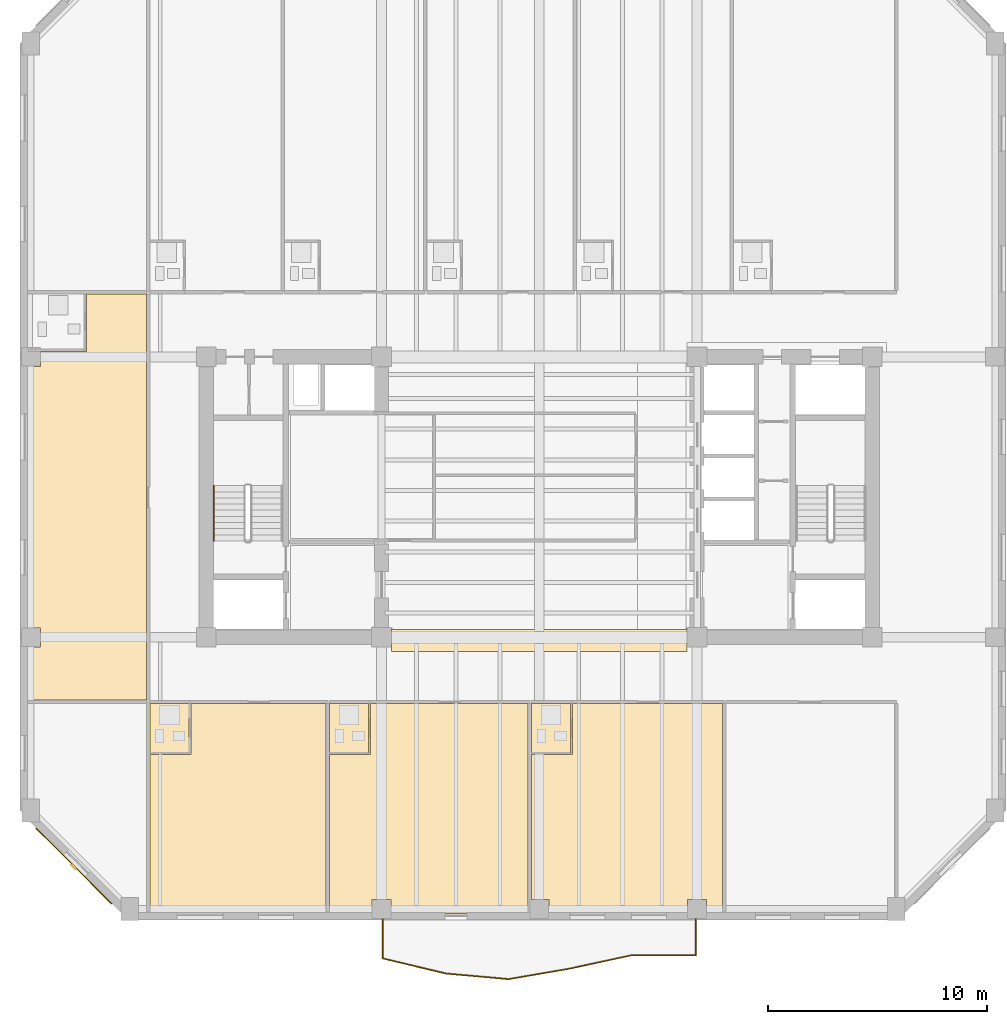
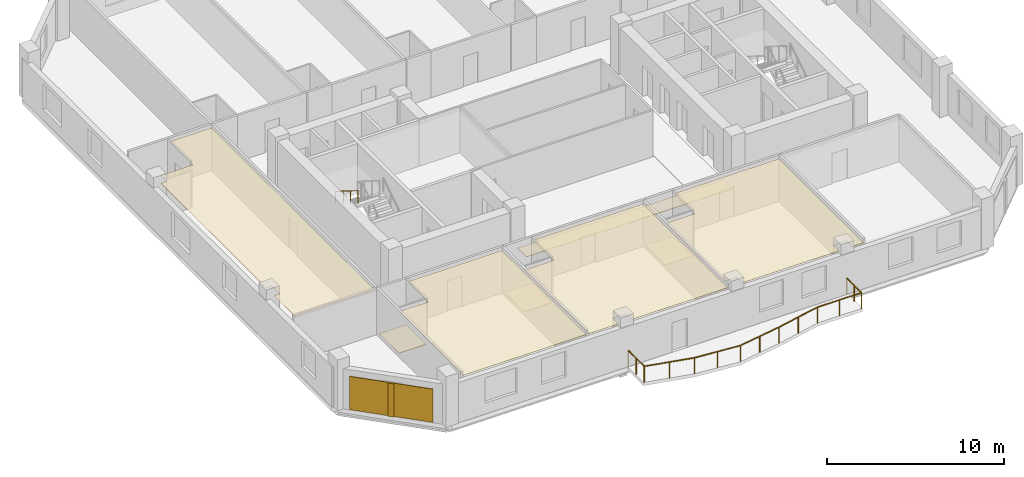
# One storey, part 7 of 11: 9 coverings, 2 railings, 1 shading device.
"""IFC4 building model written with IfcOpenShell, lengths in metres."""

from ifc_helpers import new_model, si_unit, direction, frame, origin, origin_2d, place, context, subcontext, project, spatial, polyline, rectangle, circle, outline, extrude, material, layer, layer_set, type_object, element, save


model = new_model("IFC4")

# Units and contexts
model_context = context("Model", 3, precision=1e-05, world=origin(), true_north=direction((0.0, 1.0)))
body_context = subcontext(model_context, "Body", "Model", "MODEL_VIEW")
ifc_project = project(units=[si_unit("LENGTHUNIT", "METRE"), si_unit("AREAUNIT", "SQUARE_METRE"), si_unit("VOLUMEUNIT", "CUBIC_METRE"), si_unit("PLANEANGLEUNIT", "RADIAN"), si_unit("MASSUNIT", "GRAM", prefix="KILO")], contexts=[model_context])

# Site, building, storey
site_placement = place(None, origin())
site = spatial("IfcSite", under=ifc_project, at=site_placement, CompositionType="ELEMENT")
building_placement = place(site_placement, origin())
building = spatial("IfcBuilding", under=site, at=building_placement, Name="Kranthara Brick Stack", CompositionType="ELEMENT")
storey_placement = place(building_placement, frame((0.0, 0.0, 190.300048828125)))
storey = spatial("IfcBuildingStorey", under=building, at=storey_placement, Name="L49", CompositionType="ELEMENT", Elevation=190.300048828125)

# Coverings
ifc_material_1 = material(Name="Perforated mineral-fibre acoustic ceiling tile", Category="other")
ifc_layer_1 = layer(ifc_material_1, 0.02490234375)
ifc_layer_set_1 = layer_set([ifc_layer_1], Name="Perforated mineral-fibre acoustic ceiling tile")
covering_type_1 = type_object("IfcCoveringType", Name="COV-CEIL-ACOUSTIC", PredefinedType="CEILING", material=ifc_layer_set_1)
covering_1_placement = place(storey_placement, frame((0.0, 0.0, 2.929931640625)))
element("IfcCovering", 1, at=covering_1_placement, inside=storey, type_object=covering_type_1, Name="L49 Room L49-01 Corner Junior Suite Acoustic Ceiling", PredefinedType="CEILING", context=body_context, shape_type="SweptSolid", body=[
    extrude(outline(polyline([(10.22998046875, 8.199951171875), (18.26611328125, 8.199951171875), (18.26611328125, 17.77001953125), (12.110107421875, 17.77001953125), (12.110107421875, 15.4599609375), (10.22998046875, 15.4599609375), (10.22998046875, 8.199951171875)])), origin(), (0.0, 0.0, 1.0), 0.02490234375),
])
covering_2_placement = place(storey_placement, frame((0.0, 0.0, 2.929931640625)))
element("IfcCovering", 2, at=covering_2_placement, inside=storey, type_object=covering_type_1, Name="L49 Room L49-02 Corner Junior Suite Acoustic Ceiling", PredefinedType="CEILING", context=body_context, shape_type="SweptSolid", body=[
    extrude(outline(polyline([(18.426025390625, 8.199951171875), (18.426025390625, 15.4599609375), (20.305908203125, 15.4599609375), (20.305908203125, 17.77001953125), (27.486083984375, 17.77001953125), (27.486083984375, 8.199951171875), (21.235107421875, 8.199951171875), (21.235107421875, 8.8349609375), (20.364990234375, 8.8349609375), (20.364990234375, 8.199951171875), (18.426025390625, 8.199951171875)])), origin(), (0.0, 0.0, 1.0), 0.02490234375),
])
covering_3_placement = place(storey_placement, frame((0.0, 0.0, 2.929931640625)))
element("IfcCovering", 3, at=covering_3_placement, inside=storey, type_object=covering_type_1, Name="L49 Room L49-03 Corner Junior Suite Acoustic Ceiling", PredefinedType="CEILING", context=body_context, shape_type="SweptSolid", body=[
    extrude(outline(polyline([(29.52587890625, 15.4599609375), (29.52587890625, 17.77001953125), (36.365966796875, 17.77001953125), (36.365966796875, 8.199951171875), (35.635009765625, 8.199951171875), (35.635009765625, 8.8349609375), (34.764892578125, 8.8349609375), (34.764892578125, 8.199951171875), (28.43505859375, 8.199951171875), (28.43505859375, 8.8349609375), (27.64599609375, 8.8349609375), (27.64599609375, 15.4599609375), (29.52587890625, 15.4599609375)])), origin(), (0.0, 0.0, 1.0), 0.02490234375),
])
covering_4_placement = place(storey_placement, frame((0.0, 0.0, 2.929931640625)))
element("IfcCovering", 4, at=covering_4_placement, inside=storey, type_object=covering_type_1, Name="L49 Room L49-10 Corner Junior Suite Acoustic Ceiling", PredefinedType="CEILING", context=body_context, shape_type="SweptSolid", body=[
    extrude(outline(polyline([(7.330078125, 33.840087890625), (7.330078125, 36.469970703125), (10.080078125, 36.469970703125), (10.080078125, 17.929931640625), (4.8701171875, 17.929931640625), (4.8701171875, 20.364990234375), (5.235107421875, 20.364990234375), (5.235107421875, 21.235107421875), (4.8701171875, 21.235107421875), (4.8701171875, 33.1650390625), (5.235107421875, 33.1650390625), (5.235107421875, 33.840087890625), (7.330078125, 33.840087890625)])), origin(), (0.0, 0.0, 1.0), 0.02490234375),
])
ifc_material_2 = material(Name="Warm buff kiln-fired brick slip rainscreen", Category="masonry")
ifc_layer_2 = layer(ifc_material_2, 0.044921875)
ifc_layer_set_2 = layer_set([ifc_layer_2], Name="Warm buff kiln-fired brick slip rainscreen")
covering_type_2 = type_object("IfcCoveringType", Name="COV-CLAD-BRICK", PredefinedType="CLADDING", material=ifc_layer_set_2)
covering_5_placement = place(storey_placement, frame((6.759521484375, 10.359619140625, 0.0498046875), z_axis=(0.0, 0.0, 1.0), x_axis=(-0.707106781187, 0.707106781187, 0.0)))
element("IfcCovering", 5, at=covering_5_placement, inside=storey, type_object=covering_type_2, Name="L49 Chamfer Brick Rainscreen Cladding SW", PredefinedType="CLADDING", context=body_context, shape_type="SweptSolid", body=[
    extrude(rectangle(XDim=4.89306640625, YDim=0.044921875, at=origin_2d()), origin(), (0.0, 0.0, 1.0), 2.300048828125),
])
ifc_material_3 = material(Name="Honed terrazzo and porcelain floor finish", Category="stone")
ifc_layer_3 = layer(ifc_material_3, 0.030029296875)
ifc_layer_set_3 = layer_set([ifc_layer_3], Name="Honed terrazzo and porcelain floor finish")
covering_type_3 = type_object("IfcCoveringType", Name="COV-FLOR-STONE", PredefinedType="FLOORING", material=ifc_layer_set_3)
covering_6_placement = place(storey_placement, origin())
element("IfcCovering", 6, at=covering_6_placement, inside=storey, type_object=covering_type_3, Name="L49 Lift Lobby Stone Flooring", PredefinedType="FLOORING", context=body_context, shape_type="SweptSolid", body=[
    extrude(outline(polyline([(21.25, 20.340087890625), (21.260009765625, 20.340087890625), (21.260009765625, 21.199951171875), (21.300048828125, 21.199951171875), (21.300048828125, 21.14990234375), (32.47998046875, 21.14990234375), (34.699951171875, 21.14990234375), (34.699951171875, 21.199951171875), (34.739990234375, 21.199951171875), (34.739990234375, 20.340087890625), (34.75, 20.340087890625), (34.75, 20.14990234375), (21.25, 20.14990234375), (21.25, 20.340087890625)])), origin(), (0.0, 0.0, 1.0), 0.030029296875),
])
covering_7_placement = place(storey_placement, origin())
element("IfcCovering", 7, at=covering_7_placement, inside=storey, type_object=covering_type_3, Name="L49 Wet Room Porcelain Flooring", PredefinedType="FLOORING", context=body_context, shape_type="SweptSolid", body=[
    extrude(outline(polyline([(10.22998046875, 15.52001953125), (10.22998046875, 17.77001953125), (12.010009765625, 17.77001953125), (12.010009765625, 15.52001953125), (10.22998046875, 15.52001953125)])), origin(), (0.0, 0.0, 1.0), 0.030029296875),
])
covering_8_placement = place(storey_placement, origin())
element("IfcCovering", 8, at=covering_8_placement, inside=storey, type_object=covering_type_3, Name="L49 Wet Room Porcelain Flooring", PredefinedType="FLOORING", context=body_context, shape_type="SweptSolid", body=[
    extrude(outline(polyline([(18.426025390625, 15.52001953125), (18.426025390625, 17.77001953125), (20.2060546875, 17.77001953125), (20.2060546875, 15.52001953125), (18.426025390625, 15.52001953125)])), origin(), (0.0, 0.0, 1.0), 0.030029296875),
])
covering_9_placement = place(storey_placement, origin())
element("IfcCovering", 9, at=covering_9_placement, inside=storey, type_object=covering_type_3, Name="L49 Wet Room Porcelain Flooring", PredefinedType="FLOORING", context=body_context, shape_type="SweptSolid", body=[
    extrude(outline(polyline([(27.64599609375, 15.52001953125), (27.64599609375, 17.77001953125), (29.426025390625, 17.77001953125), (29.426025390625, 15.52001953125), (27.64599609375, 15.52001953125)])), origin(), (0.0, 0.0, 1.0), 0.030029296875),
])

# Railings
ifc_material_4 = material(Name="Bronze anodised aluminium and laminated glass balustrade", Category="aluminium")
railing_type_1 = type_object("IfcRailingType", Name="RL-BALC-1120", PredefinedType="BALUSTRADE", material=ifc_material_4)
railing_1_placement = place(storey_placement, frame((35.139892578125, 7.9599609375, 0.0)))
element("IfcRailing", 10, at=railing_1_placement, inside=storey, type_object=railing_type_1, Name="L49 South Rippling Balcony Balustrade", PredefinedType="BALUSTRADE", context=body_context, shape_type="SweptSolid", body=[
    extrude(circle(Radius=0.02392578125, at=origin_2d()), frame((0.0, 0.0, 1.09619140625), z_axis=(0.0, -1.0, 0.0), x_axis=(1.0, 0.0, 0.0)), (0.0, 0.0, 1.0), 1.6728515625),
    extrude(circle(Radius=0.02392578125, at=origin_2d()), frame((0.0, -1.6728515625, 1.09619140625), z_axis=(-0.999991721006, 0.004069142303, 0.0), x_axis=(-0.004069142303, -0.999991721006, 0.0)), (0.0, 0.0, 1.0), 2.8798828125),
    extrude(circle(Radius=0.02392578125, at=origin_2d()), frame((-2.8798828125, -1.6611328125, 1.09619140625), z_axis=(-0.977453549575, -0.211150558662, 0.0), x_axis=(0.211150558662, -0.977453549575, 0.0)), (0.0, 0.0, 1.0), 2.9404296875),
    extrude(circle(Radius=0.02392578125, at=origin_2d()), frame((-5.75390625, -2.281982421875, 1.09619140625), z_axis=(-0.985447120516, -0.169982271623, 0.0), x_axis=(0.169982271623, -0.985447120516, 0.0)), (0.0, 0.0, 1.0), 2.82080078125),
    extrude(circle(Radius=0.02392578125, at=origin_2d()), frame((-8.53369140625, -2.761474609375, 1.09619140625), z_axis=(-0.996050170976, 0.088792211921, 0.0), x_axis=(-0.088792211921, -0.996050170976, 0.0)), (0.0, 0.0, 1.0), 2.87890625),
    extrude(circle(Radius=0.02392578125, at=origin_2d()), frame((-11.401123046875, -2.505859375, 1.09619140625), z_axis=(-0.972459124894, 0.233073487147, 0.0), x_axis=(-0.233073487147, -0.972459124894, 0.0)), (0.0, 0.0, 1.0), 2.960205078125),
    extrude(circle(Radius=0.02392578125, at=origin_2d()), frame((-14.27978515625, -1.81591796875, 1.09619140625), z_axis=(0.0, 1.0, 0.0), x_axis=(-1.0, 0.0, 0.0)), (0.0, 0.0, 1.0), 1.81591796875),
    extrude(circle(Radius=0.02099609375, at=origin_2d()), origin(), (0.0, 0.0, 1.0), 1.072021484375),
    extrude(circle(Radius=0.02099609375, at=origin_2d()), frame((0.0, -0.83642578125, 0.0)), (0.0, 0.0, 1.0), 1.072021484375),
    extrude(circle(Radius=0.02099609375, at=origin_2d()), frame((0.0, -1.6728515625, 0.0)), (0.0, 0.0, 1.0), 1.072021484375),
    extrude(circle(Radius=0.02099609375, at=origin_2d()), frame((-1.43994140625, -1.6669921875, 0.0)), (0.0, 0.0, 1.0), 1.072021484375),
    extrude(circle(Radius=0.02099609375, at=origin_2d()), frame((-2.8798828125, -1.6611328125, 0.0)), (0.0, 0.0, 1.0), 1.072021484375),
    extrude(circle(Radius=0.02099609375, at=origin_2d()), frame((-4.31689453125, -1.9716796875, 0.0)), (0.0, 0.0, 1.0), 1.072021484375),
    extrude(circle(Radius=0.02099609375, at=origin_2d()), frame((-5.75390625, -2.281982421875, 0.0)), (0.0, 0.0, 1.0), 1.072021484375),
    extrude(circle(Radius=0.02099609375, at=origin_2d()), frame((-7.143798828125, -2.521728515625, 0.0)), (0.0, 0.0, 1.0), 1.072021484375),
    extrude(circle(Radius=0.02099609375, at=origin_2d()), frame((-8.53369140625, -2.761474609375, 0.0)), (0.0, 0.0, 1.0), 1.072021484375),
    extrude(circle(Radius=0.02099609375, at=origin_2d()), frame((-9.96728515625, -2.6337890625, 0.0)), (0.0, 0.0, 1.0), 1.072021484375),
    extrude(circle(Radius=0.02099609375, at=origin_2d()), frame((-11.401123046875, -2.505859375, 0.0)), (0.0, 0.0, 1.0), 1.072021484375),
    extrude(circle(Radius=0.02099609375, at=origin_2d()), frame((-12.84033203125, -2.160888671875, 0.0)), (0.0, 0.0, 1.0), 1.072021484375),
    extrude(circle(Radius=0.02099609375, at=origin_2d()), frame((-14.27978515625, -1.81591796875, 0.0)), (0.0, 0.0, 1.0), 1.072021484375),
    extrude(circle(Radius=0.02099609375, at=origin_2d()), frame((-14.27978515625, -0.907958984375, 0.0)), (0.0, 0.0, 1.0), 1.072021484375),
    extrude(circle(Radius=0.02099609375, at=origin_2d()), frame((-14.27978515625, 0.0, 0.0)), (0.0, 0.0, 1.0), 1.072021484375),
])
ifc_material_5 = material(Name="Brushed stainless steel tubular handrail", Category="steel")
railing_type_2 = type_object("IfcRailingType", Name="RL-STAIR-HAND-900", PredefinedType="HANDRAIL", material=ifc_material_5)
railing_2_placement = place(storey_placement, frame((13.14990234375, 27.719970703125, 1.925048828125)))
element("IfcRailing", 11, at=railing_2_placement, inside=storey, type_object=railing_type_2, Name="L49 ST01 stair handrail 2", PredefinedType="HANDRAIL", context=body_context, shape_type="SweptSolid", body=[
    extrude(circle(Radius=0.02392578125, at=origin_2d()), frame((0.0, 0.0, 0.8759765625), z_axis=(0.0, -0.848007534815, 0.529984170421), x_axis=(1.0, 0.0, 0.0)), (0.0, 0.0, 1.0), 2.9716796875),
    extrude(circle(Radius=0.02099609375, at=origin_2d()), origin(), (0.0, 0.0, 1.0), 0.851806640625),
    extrude(circle(Radius=0.02099609375, at=origin_2d()), frame((0.0, -0.840087890625, 0.52490234375)), (0.0, 0.0, 1.0), 0.851806640625),
    extrude(circle(Radius=0.02099609375, at=origin_2d()), frame((0.0, -1.679931640625, 1.050048828125)), (0.0, 0.0, 1.0), 0.851806640625),
    extrude(circle(Radius=0.02099609375, at=origin_2d()), frame((0.0, -2.52001953125, 1.574951171875)), (0.0, 0.0, 1.0), 0.851806640625),
])

# Shading device
ifc_material_6 = material(Name="Kiln-fired terracotta aerodynamic wind fin", Category="masonry")
shading_device_type = type_object("IfcShadingDeviceType", Name="SHD-BAFFLE-CORNER", PredefinedType="SHUTTER", material=ifc_material_6)
shading_device_placement = place(storey_placement, frame((6.73828125, 10.33837890625, 0.0498046875), z_axis=(0.0, 0.0, 1.0), x_axis=(-0.707106781187, 0.707106781187, 0.0)))
element("IfcShadingDevice", 12, at=shading_device_placement, inside=storey, type_object=shading_device_type, Name="L49 Chamfer Wind-Baffle Fin SW", PredefinedType="SHUTTER", context=body_context, shape_type="SweptSolid", body=[
    extrude(rectangle(XDim=0.35009765625, YDim=0.1201171875, at=origin_2d()), origin(), (0.0, 0.0, 1.0), 2.300048828125),
])

save(model, "model.ifc")
